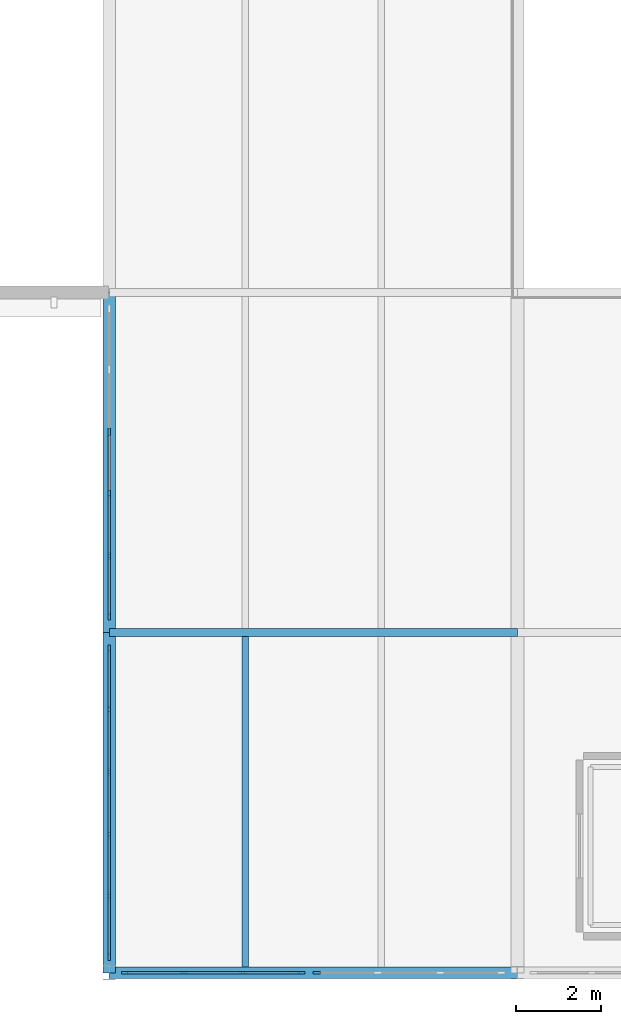
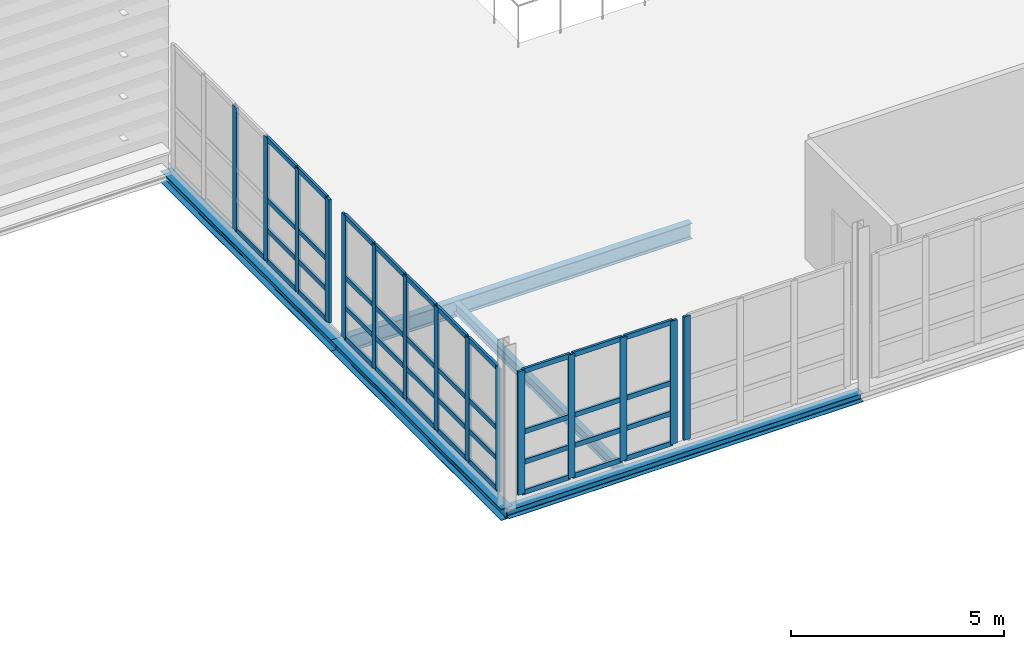
# One storey, part 23 of 73: 56 members, 5 beams, 4 elements without a shape of their own.
"""IFC4 building model written with IfcOpenShell, lengths in metres."""

from ifc_helpers import new_model, si_unit, direction, frame, origin, origin_2d, place, context, subcontext, project, spatial, rectangle, i_section, extrude, material, layer, layer_set, material_profile, profile_set, type_object, element, aggregate, save


model = new_model("IFC4")

# Units and contexts
model_context = context("Model", 3, precision=1e-05, world=origin(), true_north=direction((0.0, 1.0)))
body_context = subcontext(model_context, "Body", "Model", "MODEL_VIEW")
ifc_project = project(units=[si_unit("LENGTHUNIT", "METRE"), si_unit("AREAUNIT", "SQUARE_METRE"), si_unit("VOLUMEUNIT", "CUBIC_METRE"), si_unit("PLANEANGLEUNIT", "RADIAN"), si_unit("MASSUNIT", "GRAM", prefix="KILO")], contexts=[model_context])

# Site, building, storey
site_placement = place(None, origin())
site = spatial("IfcSite", under=ifc_project, at=site_placement, CompositionType="ELEMENT")
building_placement = place(site_placement, origin())
building = spatial("IfcBuilding", under=site, at=building_placement, Name="Alderhovde Museum", CompositionType="ELEMENT")
storey_placement = place(building_placement, frame((0.0, 0.0, 12.89990234375)))
storey = spatial("IfcBuildingStorey", under=building, at=storey_placement, Name="L03", CompositionType="ELEMENT", Elevation=12.89990234375)

# Beams
ifc_material_1 = material(Name="Steel S355J2", Category="steel")
ifc_material_profile_1 = material_profile(ifc_material_1, i_section(OverallWidth=0.300048828125, OverallDepth=0.330078125, WebThickness=0.009521484375, FlangeThickness=0.0166015625, FilletRadius=0.027099609375, at=origin_2d()), Name="HEA 340")
ifc_profile_set_1 = profile_set([ifc_material_profile_1], Name="Steel S355J2")
beam_type_1 = type_object("IfcBeamType", Name="BM-HEA340", PredefinedType="BEAM", material=ifc_profile_set_1)
for number, where, z_axis, x_axis, name in (
    (1, (76.800048828125, 32.0, -0.4248046875), (0.0, 1.0, 0.0), (-1.0, 0.0, 0.0), "L03 Grid Beam X=76.8 (32.0 TO 40.0)"),
    (2, (76.800048828125, 40.0, -0.4248046875), (0.0, 1.0, 0.0), (-1.0, 0.0, 0.0), "L03 Grid Beam X=76.8 (40.0 TO 48.0)"),
):
    element("IfcBeam", number, at=place(storey_placement, frame(where, z_axis=z_axis, x_axis=x_axis)), inside=storey, type_object=beam_type_1, Name=name, PredefinedType="BEAM", context=body_context, shape_type="SweptSolid", body=[
        extrude(i_section(OverallWidth=0.300048828125, OverallDepth=0.330078125, WebThickness=0.009521484375, FlangeThickness=0.0166015625, FilletRadius=0.027099609375, at=origin_2d()), origin(), (0.0, 0.0, 1.0), 8.0),
    ])
ifc_material_2 = material(Name="Steel S355J2", Category="steel")
ifc_material_profile_2 = material_profile(ifc_material_2, i_section(OverallWidth=0.18994140625, OverallDepth=0.449951171875, WebThickness=0.009521484375, FlangeThickness=0.0146484375, FilletRadius=0.02099609375, at=origin_2d()), Name="IPE 450")
ifc_profile_set_2 = profile_set([ifc_material_profile_2], Name="Steel S355J2")
beam_type_2 = type_object("IfcBeamType", Name="BM-IPE450", PredefinedType="BEAM", material=ifc_profile_set_2)
beam_1_placement = place(storey_placement, frame((76.800048828125, 40.0, -0.48486328125), z_axis=(1.0, 0.0, 0.0), x_axis=(0.0, 1.0, 0.0)))
element("IfcBeam", 3, at=beam_1_placement, inside=storey, type_object=beam_type_2, Name="L03 Grid Beam Y=40.0 (76.8 TO 86.4)", PredefinedType="BEAM", context=body_context, shape_type="SweptSolid", body=[
    extrude(i_section(OverallWidth=0.18994140625, OverallDepth=0.449951171875, WebThickness=0.009521484375, FlangeThickness=0.0146484375, FilletRadius=0.02099609375, at=origin_2d()), origin(), (0.0, 0.0, 1.0), 9.599853515625),
])

# Curtain wall, members
ifc_material_3 = material(Name="Triple-Glazed Bronze-Anodised Curtain Wall", Category="glass")
ifc_layer_1 = layer(ifc_material_3, 0.179931640625)
ifc_layer_set_1 = layer_set([ifc_layer_1], Name="Triple-Glazed Bronze-Anodised Curtain Wall")
curtain_wall_type_1 = type_object("IfcCurtainWallType", Name="CW-UNIT-420x354", PredefinedType="USERDEFINED", material=ifc_layer_set_1)
curtain_wall_1_placement = place(storey_placement, origin())
curtain_wall_1 = element("IfcCurtainWall", 4, at=curtain_wall_1_placement, inside=storey, type_object=curtain_wall_type_1, Name="L03 Unitised Curtain Wall 56", ObjectType="UNITISED CURTAIN WALL", PredefinedType="USERDEFINED")
ifc_material_4 = material(Name="Bronze-Anodised Aluminium EN AW-6063-T6", Category="aluminium")
ifc_material_profile_3 = material_profile(ifc_material_4, rectangle(XDim=0.06494140625, YDim=0.179931640625, at=origin_2d()), Name="MULLION 65x180")
ifc_profile_set_3 = profile_set([ifc_material_profile_3], Name="Bronze-Anodised Aluminium EN AW-6063-T6")
member_type_1 = type_object("IfcMemberType", Name="CWM-65x180", PredefinedType="MULLION", material=ifc_profile_set_3)
member_1_placement = place(storey_placement, frame((77.1826171875, 32.0, 0.0), z_axis=(0.0, 0.0, 1.0), x_axis=(0.0, 1.0, 0.0)))
member_1 = element("IfcMember", 5, at=member_1_placement, type_object=member_type_1, Name="CW15 mullion 1", PredefinedType="MULLION", context=body_context, shape_type="SweptSolid", body=[
    extrude(rectangle(XDim=0.06494140625, YDim=0.179931640625, at=origin_2d()), origin(), (0.0, 0.0, 1.0), 3.5400390625),
])
member_2_placement = place(storey_placement, frame((78.550048828125, 32.0, 0.0), z_axis=(0.0, 0.0, 1.0), x_axis=(0.0, 1.0, 0.0)))
member_2 = element("IfcMember", 6, at=member_2_placement, type_object=member_type_1, Name="CW15 mullion 2", PredefinedType="MULLION", context=body_context, shape_type="SweptSolid", body=[
    extrude(rectangle(XDim=0.06494140625, YDim=0.179931640625, at=origin_2d()), origin(), (0.0, 0.0, 1.0), 3.5400390625),
])
member_3_placement = place(storey_placement, frame((79.949951171875, 32.0, 0.0), z_axis=(0.0, 0.0, 1.0), x_axis=(0.0, 1.0, 0.0)))
member_3 = element("IfcMember", 7, at=member_3_placement, type_object=member_type_1, Name="CW15 mullion 3", PredefinedType="MULLION", context=body_context, shape_type="SweptSolid", body=[
    extrude(rectangle(XDim=0.06494140625, YDim=0.179931640625, at=origin_2d()), origin(), (0.0, 0.0, 1.0), 3.5400390625),
])
member_4_placement = place(storey_placement, frame((81.3173828125, 32.0, 0.0), z_axis=(0.0, 0.0, 1.0), x_axis=(0.0, 1.0, 0.0)))
member_4 = element("IfcMember", 8, at=member_4_placement, type_object=member_type_1, Name="CW15 mullion 4", PredefinedType="MULLION", context=body_context, shape_type="SweptSolid", body=[
    extrude(rectangle(XDim=0.06494140625, YDim=0.179931640625, at=origin_2d()), origin(), (0.0, 0.0, 1.0), 3.5400390625),
])

# Curtain wall, member
ifc_material_5 = material(Name="Triple-Glazed Bronze-Anodised Curtain Wall", Category="glass")
ifc_layer_2 = layer(ifc_material_5, 0.179931640625)
ifc_layer_set_2 = layer_set([ifc_layer_2], Name="Triple-Glazed Bronze-Anodised Curtain Wall")
curtain_wall_type_2 = type_object("IfcCurtainWallType", Name="CW-UNIT-440x354", PredefinedType="USERDEFINED", material=ifc_layer_set_2)
curtain_wall_2_placement = place(storey_placement, origin())
curtain_wall_2 = element("IfcCurtainWall", 9, at=curtain_wall_2_placement, inside=storey, type_object=curtain_wall_type_2, Name="L03 Unitised Curtain Wall 57", ObjectType="UNITISED CURTAIN WALL", PredefinedType="USERDEFINED")
member_5_placement = place(storey_placement, frame((81.6826171875, 32.0, 0.0), z_axis=(0.0, 0.0, 1.0), x_axis=(0.0, 1.0, 0.0)))
member_5 = element("IfcMember", 10, at=member_5_placement, type_object=member_type_1, Name="CW16 mullion 1", PredefinedType="MULLION", context=body_context, shape_type="SweptSolid", body=[
    extrude(rectangle(XDim=0.06494140625, YDim=0.179931640625, at=origin_2d()), origin(), (0.0, 0.0, 1.0), 3.5400390625),
])
aggregate(curtain_wall_2, [member_5])

# Curtain wall, members
ifc_material_6 = material(Name="Triple-Glazed Bronze-Anodised Curtain Wall", Category="glass")
ifc_layer_3 = layer(ifc_material_6, 0.179931640625)
ifc_layer_set_3 = layer_set([ifc_layer_3], Name="Triple-Glazed Bronze-Anodised Curtain Wall")
curtain_wall_type_3 = type_object("IfcCurtainWallType", Name="CW-STIC-730x354", PredefinedType="USERDEFINED", material=ifc_layer_set_3)
curtain_wall_3_placement = place(storey_placement, origin())
curtain_wall_3 = element("IfcCurtainWall", 11, at=curtain_wall_3_placement, inside=storey, type_object=curtain_wall_type_3, Name="L03 Stick Curtain Wall 64", ObjectType="STICK CURTAIN WALL", PredefinedType="USERDEFINED")
member_6_placement = place(storey_placement, frame((76.800048828125, 32.382568359375, 0.0), z_axis=(0.0, 0.0, 1.0), x_axis=(-1.0, 0.0, 0.0)))
member_6 = element("IfcMember", 12, at=member_6_placement, type_object=member_type_1, Name="CW17 mullion 1", PredefinedType="MULLION", context=body_context, shape_type="SweptSolid", body=[
    extrude(rectangle(XDim=0.06494140625, YDim=0.179931640625, at=origin_2d()), origin(), (0.0, 0.0, 1.0), 3.5400390625),
])
member_7_placement = place(storey_placement, frame((76.800048828125, 33.81005859375, 0.0), z_axis=(0.0, 0.0, 1.0), x_axis=(-1.0, 0.0, 0.0)))
member_7 = element("IfcMember", 13, at=member_7_placement, type_object=member_type_1, Name="CW17 mullion 2", PredefinedType="MULLION", context=body_context, shape_type="SweptSolid", body=[
    extrude(rectangle(XDim=0.06494140625, YDim=0.179931640625, at=origin_2d()), origin(), (0.0, 0.0, 1.0), 3.5400390625),
])
member_8_placement = place(storey_placement, frame((76.800048828125, 35.27001953125, 0.0), z_axis=(0.0, 0.0, 1.0), x_axis=(-1.0, 0.0, 0.0)))
member_8 = element("IfcMember", 14, at=member_8_placement, type_object=member_type_1, Name="CW17 mullion 3", PredefinedType="MULLION", context=body_context, shape_type="SweptSolid", body=[
    extrude(rectangle(XDim=0.06494140625, YDim=0.179931640625, at=origin_2d()), origin(), (0.0, 0.0, 1.0), 3.5400390625),
])
member_9_placement = place(storey_placement, frame((76.800048828125, 36.72998046875, 0.0), z_axis=(0.0, 0.0, 1.0), x_axis=(-1.0, 0.0, 0.0)))
member_9 = element("IfcMember", 15, at=member_9_placement, type_object=member_type_1, Name="CW17 mullion 4", PredefinedType="MULLION", context=body_context, shape_type="SweptSolid", body=[
    extrude(rectangle(XDim=0.06494140625, YDim=0.179931640625, at=origin_2d()), origin(), (0.0, 0.0, 1.0), 3.5400390625),
])
member_10_placement = place(storey_placement, frame((76.800048828125, 38.18994140625, 0.0), z_axis=(0.0, 0.0, 1.0), x_axis=(-1.0, 0.0, 0.0)))
member_10 = element("IfcMember", 16, at=member_10_placement, type_object=member_type_1, Name="CW17 mullion 5", PredefinedType="MULLION", context=body_context, shape_type="SweptSolid", body=[
    extrude(rectangle(XDim=0.06494140625, YDim=0.179931640625, at=origin_2d()), origin(), (0.0, 0.0, 1.0), 3.5400390625),
])
member_11_placement = place(storey_placement, frame((76.800048828125, 39.617431640625, 0.0), z_axis=(0.0, 0.0, 1.0), x_axis=(-1.0, 0.0, 0.0)))
member_11 = element("IfcMember", 17, at=member_11_placement, type_object=member_type_1, Name="CW17 mullion 6", PredefinedType="MULLION", context=body_context, shape_type="SweptSolid", body=[
    extrude(rectangle(XDim=0.06494140625, YDim=0.179931640625, at=origin_2d()), origin(), (0.0, 0.0, 1.0), 3.5400390625),
])

curtain_wall_4_placement = place(storey_placement, origin())
curtain_wall_4 = element("IfcCurtainWall", 18, at=curtain_wall_4_placement, inside=storey, type_object=curtain_wall_type_3, Name="L03 Stick Curtain Wall 65", ObjectType="STICK CURTAIN WALL", PredefinedType="USERDEFINED")
member_12_placement = place(storey_placement, frame((76.800048828125, 40.382568359375, 0.0), z_axis=(0.0, 0.0, 1.0), x_axis=(-1.0, 0.0, 0.0)))
member_12 = element("IfcMember", 19, at=member_12_placement, type_object=member_type_1, Name="CW17 mullion 1", PredefinedType="MULLION", context=body_context, shape_type="SweptSolid", body=[
    extrude(rectangle(XDim=0.06494140625, YDim=0.179931640625, at=origin_2d()), origin(), (0.0, 0.0, 1.0), 3.5400390625),
])
member_13_placement = place(storey_placement, frame((76.800048828125, 41.81005859375, 0.0), z_axis=(0.0, 0.0, 1.0), x_axis=(-1.0, 0.0, 0.0)))
member_13 = element("IfcMember", 20, at=member_13_placement, type_object=member_type_1, Name="CW17 mullion 2", PredefinedType="MULLION", context=body_context, shape_type="SweptSolid", body=[
    extrude(rectangle(XDim=0.06494140625, YDim=0.179931640625, at=origin_2d()), origin(), (0.0, 0.0, 1.0), 3.5400390625),
])
member_14_placement = place(storey_placement, frame((76.800048828125, 43.27001953125, 0.0), z_axis=(0.0, 0.0, 1.0), x_axis=(-1.0, 0.0, 0.0)))
member_14 = element("IfcMember", 21, at=member_14_placement, type_object=member_type_1, Name="CW17 mullion 3", PredefinedType="MULLION", context=body_context, shape_type="SweptSolid", body=[
    extrude(rectangle(XDim=0.06494140625, YDim=0.179931640625, at=origin_2d()), origin(), (0.0, 0.0, 1.0), 3.5400390625),
])
member_15_placement = place(storey_placement, frame((76.800048828125, 44.72998046875, 0.0), z_axis=(0.0, 0.0, 1.0), x_axis=(-1.0, 0.0, 0.0)))
member_15 = element("IfcMember", 22, at=member_15_placement, type_object=member_type_1, Name="CW17 mullion 4", PredefinedType="MULLION", context=body_context, shape_type="SweptSolid", body=[
    extrude(rectangle(XDim=0.06494140625, YDim=0.179931640625, at=origin_2d()), origin(), (0.0, 0.0, 1.0), 3.5400390625),
])

# Member
ifc_material_7 = material(Name="Bronze-Anodised Aluminium EN AW-6063-T6", Category="aluminium")
ifc_material_profile_4 = material_profile(ifc_material_7, rectangle(XDim=0.06494140625, YDim=0.139892578125, at=origin_2d()), Name="TRANSOM 65x140")
ifc_profile_set_4 = profile_set([ifc_material_profile_4], Name="Bronze-Anodised Aluminium EN AW-6063-T6")
member_type_2 = type_object("IfcMemberType", Name="CWT-65x140", PredefinedType="USERDEFINED", material=ifc_profile_set_4)
member_16_placement = place(storey_placement, frame((77.215087890625, 32.0, 0.03271484375), z_axis=(1.0, 0.0, 0.0), x_axis=(0.0, 1.0, 0.0)))
member_16 = element("IfcMember", 23, at=member_16_placement, type_object=member_type_2, Name="CW15 transom 1.1", ObjectType="TRANSOM", PredefinedType="USERDEFINED", context=body_context, shape_type="SweptSolid", body=[
    extrude(rectangle(XDim=0.06494140625, YDim=0.139892578125, at=origin_2d()), origin(), (0.0, 0.0, 1.0), 1.302490234375),
])

member_17_placement = place(storey_placement, frame((77.215087890625, 32.0, 0.900146484375), z_axis=(1.0, 0.0, 0.0), x_axis=(0.0, 1.0, 0.0)))
member_17 = element("IfcMember", 24, at=member_17_placement, type_object=member_type_2, Name="CW15 transom 1.2", ObjectType="TRANSOM", PredefinedType="USERDEFINED", context=body_context, shape_type="SweptSolid", body=[
    extrude(rectangle(XDim=0.06494140625, YDim=0.139892578125, at=origin_2d()), origin(), (0.0, 0.0, 1.0), 1.302490234375),
])

member_18_placement = place(storey_placement, frame((77.215087890625, 32.0, 1.77001953125), z_axis=(1.0, 0.0, 0.0), x_axis=(0.0, 1.0, 0.0)))
member_18 = element("IfcMember", 25, at=member_18_placement, type_object=member_type_2, Name="CW15 transom 1.3", ObjectType="TRANSOM", PredefinedType="USERDEFINED", context=body_context, shape_type="SweptSolid", body=[
    extrude(rectangle(XDim=0.06494140625, YDim=0.139892578125, at=origin_2d()), origin(), (0.0, 0.0, 1.0), 1.302490234375),
])

member_19_placement = place(storey_placement, frame((77.215087890625, 32.0, 3.507568359375), z_axis=(1.0, 0.0, 0.0), x_axis=(0.0, 1.0, 0.0)))
member_19 = element("IfcMember", 26, at=member_19_placement, type_object=member_type_2, Name="CW15 transom 1.4", ObjectType="TRANSOM", PredefinedType="USERDEFINED", context=body_context, shape_type="SweptSolid", body=[
    extrude(rectangle(XDim=0.06494140625, YDim=0.139892578125, at=origin_2d()), origin(), (0.0, 0.0, 1.0), 1.302490234375),
])

member_20_placement = place(storey_placement, frame((78.58251953125, 32.0, 0.03271484375), z_axis=(1.0, 0.0, 0.0), x_axis=(0.0, 1.0, 0.0)))
member_20 = element("IfcMember", 27, at=member_20_placement, type_object=member_type_2, Name="CW15 transom 2.1", ObjectType="TRANSOM", PredefinedType="USERDEFINED", context=body_context, shape_type="SweptSolid", body=[
    extrude(rectangle(XDim=0.06494140625, YDim=0.139892578125, at=origin_2d()), origin(), (0.0, 0.0, 1.0), 1.3349609375),
])

member_21_placement = place(storey_placement, frame((78.58251953125, 32.0, 0.900146484375), z_axis=(1.0, 0.0, 0.0), x_axis=(0.0, 1.0, 0.0)))
member_21 = element("IfcMember", 28, at=member_21_placement, type_object=member_type_2, Name="CW15 transom 2.2", ObjectType="TRANSOM", PredefinedType="USERDEFINED", context=body_context, shape_type="SweptSolid", body=[
    extrude(rectangle(XDim=0.06494140625, YDim=0.139892578125, at=origin_2d()), origin(), (0.0, 0.0, 1.0), 1.3349609375),
])

member_22_placement = place(storey_placement, frame((78.58251953125, 32.0, 1.77001953125), z_axis=(1.0, 0.0, 0.0), x_axis=(0.0, 1.0, 0.0)))
member_22 = element("IfcMember", 29, at=member_22_placement, type_object=member_type_2, Name="CW15 transom 2.3", ObjectType="TRANSOM", PredefinedType="USERDEFINED", context=body_context, shape_type="SweptSolid", body=[
    extrude(rectangle(XDim=0.06494140625, YDim=0.139892578125, at=origin_2d()), origin(), (0.0, 0.0, 1.0), 1.3349609375),
])

member_23_placement = place(storey_placement, frame((78.58251953125, 32.0, 3.507568359375), z_axis=(1.0, 0.0, 0.0), x_axis=(0.0, 1.0, 0.0)))
member_23 = element("IfcMember", 30, at=member_23_placement, type_object=member_type_2, Name="CW15 transom 2.4", ObjectType="TRANSOM", PredefinedType="USERDEFINED", context=body_context, shape_type="SweptSolid", body=[
    extrude(rectangle(XDim=0.06494140625, YDim=0.139892578125, at=origin_2d()), origin(), (0.0, 0.0, 1.0), 1.3349609375),
])

member_24_placement = place(storey_placement, frame((79.982421875, 32.0, 0.03271484375), z_axis=(1.0, 0.0, 0.0), x_axis=(0.0, 1.0, 0.0)))
member_24 = element("IfcMember", 31, at=member_24_placement, type_object=member_type_2, Name="CW15 transom 3.1", ObjectType="TRANSOM", PredefinedType="USERDEFINED", context=body_context, shape_type="SweptSolid", body=[
    extrude(rectangle(XDim=0.06494140625, YDim=0.139892578125, at=origin_2d()), origin(), (0.0, 0.0, 1.0), 1.302490234375),
])

member_25_placement = place(storey_placement, frame((79.982421875, 32.0, 0.900146484375), z_axis=(1.0, 0.0, 0.0), x_axis=(0.0, 1.0, 0.0)))
member_25 = element("IfcMember", 32, at=member_25_placement, type_object=member_type_2, Name="CW15 transom 3.2", ObjectType="TRANSOM", PredefinedType="USERDEFINED", context=body_context, shape_type="SweptSolid", body=[
    extrude(rectangle(XDim=0.06494140625, YDim=0.139892578125, at=origin_2d()), origin(), (0.0, 0.0, 1.0), 1.302490234375),
])

member_26_placement = place(storey_placement, frame((79.982421875, 32.0, 1.77001953125), z_axis=(1.0, 0.0, 0.0), x_axis=(0.0, 1.0, 0.0)))
member_26 = element("IfcMember", 33, at=member_26_placement, type_object=member_type_2, Name="CW15 transom 3.3", ObjectType="TRANSOM", PredefinedType="USERDEFINED", context=body_context, shape_type="SweptSolid", body=[
    extrude(rectangle(XDim=0.06494140625, YDim=0.139892578125, at=origin_2d()), origin(), (0.0, 0.0, 1.0), 1.302490234375),
])

member_27_placement = place(storey_placement, frame((79.982421875, 32.0, 3.507568359375), z_axis=(1.0, 0.0, 0.0), x_axis=(0.0, 1.0, 0.0)))
member_27 = element("IfcMember", 34, at=member_27_placement, type_object=member_type_2, Name="CW15 transom 3.4", ObjectType="TRANSOM", PredefinedType="USERDEFINED", context=body_context, shape_type="SweptSolid", body=[
    extrude(rectangle(XDim=0.06494140625, YDim=0.139892578125, at=origin_2d()), origin(), (0.0, 0.0, 1.0), 1.302490234375),
])

aggregate(curtain_wall_1, [member_1, member_2, member_3, member_4, member_16, member_17, member_18, member_19, member_20, member_21, member_22, member_23, member_24, member_25, member_26, member_27])

member_28_placement = place(storey_placement, frame((76.800048828125, 32.4150390625, 0.03271484375), z_axis=(0.0, 1.0, 0.0), x_axis=(-1.0, 0.0, 0.0)))
member_28 = element("IfcMember", 35, at=member_28_placement, type_object=member_type_2, Name="CW17 transom 1.1", ObjectType="TRANSOM", PredefinedType="USERDEFINED", context=body_context, shape_type="SweptSolid", body=[
    extrude(rectangle(XDim=0.06494140625, YDim=0.139892578125, at=origin_2d()), origin(), (0.0, 0.0, 1.0), 1.362548828125),
])

member_29_placement = place(storey_placement, frame((76.800048828125, 32.4150390625, 0.900146484375), z_axis=(0.0, 1.0, 0.0), x_axis=(-1.0, 0.0, 0.0)))
member_29 = element("IfcMember", 36, at=member_29_placement, type_object=member_type_2, Name="CW17 transom 1.2", ObjectType="TRANSOM", PredefinedType="USERDEFINED", context=body_context, shape_type="SweptSolid", body=[
    extrude(rectangle(XDim=0.06494140625, YDim=0.139892578125, at=origin_2d()), origin(), (0.0, 0.0, 1.0), 1.362548828125),
])

member_30_placement = place(storey_placement, frame((76.800048828125, 32.4150390625, 1.77001953125), z_axis=(0.0, 1.0, 0.0), x_axis=(-1.0, 0.0, 0.0)))
member_30 = element("IfcMember", 37, at=member_30_placement, type_object=member_type_2, Name="CW17 transom 1.3", ObjectType="TRANSOM", PredefinedType="USERDEFINED", context=body_context, shape_type="SweptSolid", body=[
    extrude(rectangle(XDim=0.06494140625, YDim=0.139892578125, at=origin_2d()), origin(), (0.0, 0.0, 1.0), 1.362548828125),
])

member_31_placement = place(storey_placement, frame((76.800048828125, 32.4150390625, 3.507568359375), z_axis=(0.0, 1.0, 0.0), x_axis=(-1.0, 0.0, 0.0)))
member_31 = element("IfcMember", 38, at=member_31_placement, type_object=member_type_2, Name="CW17 transom 1.4", ObjectType="TRANSOM", PredefinedType="USERDEFINED", context=body_context, shape_type="SweptSolid", body=[
    extrude(rectangle(XDim=0.06494140625, YDim=0.139892578125, at=origin_2d()), origin(), (0.0, 0.0, 1.0), 1.362548828125),
])

member_32_placement = place(storey_placement, frame((76.800048828125, 33.842529296875, 0.03271484375), z_axis=(0.0, 1.0, 0.0), x_axis=(-1.0, 0.0, 0.0)))
member_32 = element("IfcMember", 39, at=member_32_placement, type_object=member_type_2, Name="CW17 transom 2.1", ObjectType="TRANSOM", PredefinedType="USERDEFINED", context=body_context, shape_type="SweptSolid", body=[
    extrude(rectangle(XDim=0.06494140625, YDim=0.139892578125, at=origin_2d()), origin(), (0.0, 0.0, 1.0), 1.39501953125),
])

member_33_placement = place(storey_placement, frame((76.800048828125, 33.842529296875, 0.900146484375), z_axis=(0.0, 1.0, 0.0), x_axis=(-1.0, 0.0, 0.0)))
member_33 = element("IfcMember", 40, at=member_33_placement, type_object=member_type_2, Name="CW17 transom 2.2", ObjectType="TRANSOM", PredefinedType="USERDEFINED", context=body_context, shape_type="SweptSolid", body=[
    extrude(rectangle(XDim=0.06494140625, YDim=0.139892578125, at=origin_2d()), origin(), (0.0, 0.0, 1.0), 1.39501953125),
])

member_34_placement = place(storey_placement, frame((76.800048828125, 33.842529296875, 1.77001953125), z_axis=(0.0, 1.0, 0.0), x_axis=(-1.0, 0.0, 0.0)))
member_34 = element("IfcMember", 41, at=member_34_placement, type_object=member_type_2, Name="CW17 transom 2.3", ObjectType="TRANSOM", PredefinedType="USERDEFINED", context=body_context, shape_type="SweptSolid", body=[
    extrude(rectangle(XDim=0.06494140625, YDim=0.139892578125, at=origin_2d()), origin(), (0.0, 0.0, 1.0), 1.39501953125),
])

member_35_placement = place(storey_placement, frame((76.800048828125, 33.842529296875, 3.507568359375), z_axis=(0.0, 1.0, 0.0), x_axis=(-1.0, 0.0, 0.0)))
member_35 = element("IfcMember", 42, at=member_35_placement, type_object=member_type_2, Name="CW17 transom 2.4", ObjectType="TRANSOM", PredefinedType="USERDEFINED", context=body_context, shape_type="SweptSolid", body=[
    extrude(rectangle(XDim=0.06494140625, YDim=0.139892578125, at=origin_2d()), origin(), (0.0, 0.0, 1.0), 1.39501953125),
])

member_36_placement = place(storey_placement, frame((76.800048828125, 35.302490234375, 0.03271484375), z_axis=(0.0, 1.0, 0.0), x_axis=(-1.0, 0.0, 0.0)))
member_36 = element("IfcMember", 43, at=member_36_placement, type_object=member_type_2, Name="CW17 transom 3.1", ObjectType="TRANSOM", PredefinedType="USERDEFINED", context=body_context, shape_type="SweptSolid", body=[
    extrude(rectangle(XDim=0.06494140625, YDim=0.139892578125, at=origin_2d()), origin(), (0.0, 0.0, 1.0), 1.39501953125),
])

member_37_placement = place(storey_placement, frame((76.800048828125, 35.302490234375, 0.900146484375), z_axis=(0.0, 1.0, 0.0), x_axis=(-1.0, 0.0, 0.0)))
member_37 = element("IfcMember", 44, at=member_37_placement, type_object=member_type_2, Name="CW17 transom 3.2", ObjectType="TRANSOM", PredefinedType="USERDEFINED", context=body_context, shape_type="SweptSolid", body=[
    extrude(rectangle(XDim=0.06494140625, YDim=0.139892578125, at=origin_2d()), origin(), (0.0, 0.0, 1.0), 1.39501953125),
])

member_38_placement = place(storey_placement, frame((76.800048828125, 35.302490234375, 1.77001953125), z_axis=(0.0, 1.0, 0.0), x_axis=(-1.0, 0.0, 0.0)))
member_38 = element("IfcMember", 45, at=member_38_placement, type_object=member_type_2, Name="CW17 transom 3.3", ObjectType="TRANSOM", PredefinedType="USERDEFINED", context=body_context, shape_type="SweptSolid", body=[
    extrude(rectangle(XDim=0.06494140625, YDim=0.139892578125, at=origin_2d()), origin(), (0.0, 0.0, 1.0), 1.39501953125),
])

member_39_placement = place(storey_placement, frame((76.800048828125, 35.302490234375, 3.507568359375), z_axis=(0.0, 1.0, 0.0), x_axis=(-1.0, 0.0, 0.0)))
member_39 = element("IfcMember", 46, at=member_39_placement, type_object=member_type_2, Name="CW17 transom 3.4", ObjectType="TRANSOM", PredefinedType="USERDEFINED", context=body_context, shape_type="SweptSolid", body=[
    extrude(rectangle(XDim=0.06494140625, YDim=0.139892578125, at=origin_2d()), origin(), (0.0, 0.0, 1.0), 1.39501953125),
])

member_40_placement = place(storey_placement, frame((76.800048828125, 36.762451171875, 0.03271484375), z_axis=(0.0, 1.0, 0.0), x_axis=(-1.0, 0.0, 0.0)))
member_40 = element("IfcMember", 47, at=member_40_placement, type_object=member_type_2, Name="CW17 transom 4.1", ObjectType="TRANSOM", PredefinedType="USERDEFINED", context=body_context, shape_type="SweptSolid", body=[
    extrude(rectangle(XDim=0.06494140625, YDim=0.139892578125, at=origin_2d()), origin(), (0.0, 0.0, 1.0), 1.39501953125),
])

member_41_placement = place(storey_placement, frame((76.800048828125, 36.762451171875, 0.900146484375), z_axis=(0.0, 1.0, 0.0), x_axis=(-1.0, 0.0, 0.0)))
member_41 = element("IfcMember", 48, at=member_41_placement, type_object=member_type_2, Name="CW17 transom 4.2", ObjectType="TRANSOM", PredefinedType="USERDEFINED", context=body_context, shape_type="SweptSolid", body=[
    extrude(rectangle(XDim=0.06494140625, YDim=0.139892578125, at=origin_2d()), origin(), (0.0, 0.0, 1.0), 1.39501953125),
])

member_42_placement = place(storey_placement, frame((76.800048828125, 36.762451171875, 1.77001953125), z_axis=(0.0, 1.0, 0.0), x_axis=(-1.0, 0.0, 0.0)))
member_42 = element("IfcMember", 49, at=member_42_placement, type_object=member_type_2, Name="CW17 transom 4.3", ObjectType="TRANSOM", PredefinedType="USERDEFINED", context=body_context, shape_type="SweptSolid", body=[
    extrude(rectangle(XDim=0.06494140625, YDim=0.139892578125, at=origin_2d()), origin(), (0.0, 0.0, 1.0), 1.39501953125),
])

member_43_placement = place(storey_placement, frame((76.800048828125, 36.762451171875, 3.507568359375), z_axis=(0.0, 1.0, 0.0), x_axis=(-1.0, 0.0, 0.0)))
member_43 = element("IfcMember", 50, at=member_43_placement, type_object=member_type_2, Name="CW17 transom 4.4", ObjectType="TRANSOM", PredefinedType="USERDEFINED", context=body_context, shape_type="SweptSolid", body=[
    extrude(rectangle(XDim=0.06494140625, YDim=0.139892578125, at=origin_2d()), origin(), (0.0, 0.0, 1.0), 1.39501953125),
])

member_44_placement = place(storey_placement, frame((76.800048828125, 38.222412109375, 0.03271484375), z_axis=(0.0, 1.0, 0.0), x_axis=(-1.0, 0.0, 0.0)))
member_44 = element("IfcMember", 51, at=member_44_placement, type_object=member_type_2, Name="CW17 transom 5.1", ObjectType="TRANSOM", PredefinedType="USERDEFINED", context=body_context, shape_type="SweptSolid", body=[
    extrude(rectangle(XDim=0.06494140625, YDim=0.139892578125, at=origin_2d()), origin(), (0.0, 0.0, 1.0), 1.362548828125),
])

member_45_placement = place(storey_placement, frame((76.800048828125, 38.222412109375, 0.900146484375), z_axis=(0.0, 1.0, 0.0), x_axis=(-1.0, 0.0, 0.0)))
member_45 = element("IfcMember", 52, at=member_45_placement, type_object=member_type_2, Name="CW17 transom 5.2", ObjectType="TRANSOM", PredefinedType="USERDEFINED", context=body_context, shape_type="SweptSolid", body=[
    extrude(rectangle(XDim=0.06494140625, YDim=0.139892578125, at=origin_2d()), origin(), (0.0, 0.0, 1.0), 1.362548828125),
])

member_46_placement = place(storey_placement, frame((76.800048828125, 38.222412109375, 1.77001953125), z_axis=(0.0, 1.0, 0.0), x_axis=(-1.0, 0.0, 0.0)))
member_46 = element("IfcMember", 53, at=member_46_placement, type_object=member_type_2, Name="CW17 transom 5.3", ObjectType="TRANSOM", PredefinedType="USERDEFINED", context=body_context, shape_type="SweptSolid", body=[
    extrude(rectangle(XDim=0.06494140625, YDim=0.139892578125, at=origin_2d()), origin(), (0.0, 0.0, 1.0), 1.362548828125),
])

member_47_placement = place(storey_placement, frame((76.800048828125, 38.222412109375, 3.507568359375), z_axis=(0.0, 1.0, 0.0), x_axis=(-1.0, 0.0, 0.0)))
member_47 = element("IfcMember", 54, at=member_47_placement, type_object=member_type_2, Name="CW17 transom 5.4", ObjectType="TRANSOM", PredefinedType="USERDEFINED", context=body_context, shape_type="SweptSolid", body=[
    extrude(rectangle(XDim=0.06494140625, YDim=0.139892578125, at=origin_2d()), origin(), (0.0, 0.0, 1.0), 1.362548828125),
])

aggregate(curtain_wall_3, [member_6, member_7, member_8, member_9, member_10, member_11, member_28, member_29, member_30, member_31, member_32, member_33, member_34, member_35, member_36, member_37, member_38, member_39, member_40, member_41, member_42, member_43, member_44, member_45, member_46, member_47])

member_48_placement = place(storey_placement, frame((76.800048828125, 40.4150390625, 0.03271484375), z_axis=(0.0, 1.0, 0.0), x_axis=(-1.0, 0.0, 0.0)))
member_48 = element("IfcMember", 55, at=member_48_placement, type_object=member_type_2, Name="CW17 transom 1.1", ObjectType="TRANSOM", PredefinedType="USERDEFINED", context=body_context, shape_type="SweptSolid", body=[
    extrude(rectangle(XDim=0.06494140625, YDim=0.139892578125, at=origin_2d()), origin(), (0.0, 0.0, 1.0), 1.362548828125),
])

member_49_placement = place(storey_placement, frame((76.800048828125, 40.4150390625, 0.900146484375), z_axis=(0.0, 1.0, 0.0), x_axis=(-1.0, 0.0, 0.0)))
member_49 = element("IfcMember", 56, at=member_49_placement, type_object=member_type_2, Name="CW17 transom 1.2", ObjectType="TRANSOM", PredefinedType="USERDEFINED", context=body_context, shape_type="SweptSolid", body=[
    extrude(rectangle(XDim=0.06494140625, YDim=0.139892578125, at=origin_2d()), origin(), (0.0, 0.0, 1.0), 1.362548828125),
])

member_50_placement = place(storey_placement, frame((76.800048828125, 40.4150390625, 1.77001953125), z_axis=(0.0, 1.0, 0.0), x_axis=(-1.0, 0.0, 0.0)))
member_50 = element("IfcMember", 57, at=member_50_placement, type_object=member_type_2, Name="CW17 transom 1.3", ObjectType="TRANSOM", PredefinedType="USERDEFINED", context=body_context, shape_type="SweptSolid", body=[
    extrude(rectangle(XDim=0.06494140625, YDim=0.139892578125, at=origin_2d()), origin(), (0.0, 0.0, 1.0), 1.362548828125),
])

member_51_placement = place(storey_placement, frame((76.800048828125, 40.4150390625, 3.507568359375), z_axis=(0.0, 1.0, 0.0), x_axis=(-1.0, 0.0, 0.0)))
member_51 = element("IfcMember", 58, at=member_51_placement, type_object=member_type_2, Name="CW17 transom 1.4", ObjectType="TRANSOM", PredefinedType="USERDEFINED", context=body_context, shape_type="SweptSolid", body=[
    extrude(rectangle(XDim=0.06494140625, YDim=0.139892578125, at=origin_2d()), origin(), (0.0, 0.0, 1.0), 1.362548828125),
])

member_52_placement = place(storey_placement, frame((76.800048828125, 41.842529296875, 0.03271484375), z_axis=(0.0, 1.0, 0.0), x_axis=(-1.0, 0.0, 0.0)))
member_52 = element("IfcMember", 59, at=member_52_placement, type_object=member_type_2, Name="CW17 transom 2.1", ObjectType="TRANSOM", PredefinedType="USERDEFINED", context=body_context, shape_type="SweptSolid", body=[
    extrude(rectangle(XDim=0.06494140625, YDim=0.139892578125, at=origin_2d()), origin(), (0.0, 0.0, 1.0), 1.39501953125),
])

member_53_placement = place(storey_placement, frame((76.800048828125, 41.842529296875, 0.900146484375), z_axis=(0.0, 1.0, 0.0), x_axis=(-1.0, 0.0, 0.0)))
member_53 = element("IfcMember", 60, at=member_53_placement, type_object=member_type_2, Name="CW17 transom 2.2", ObjectType="TRANSOM", PredefinedType="USERDEFINED", context=body_context, shape_type="SweptSolid", body=[
    extrude(rectangle(XDim=0.06494140625, YDim=0.139892578125, at=origin_2d()), origin(), (0.0, 0.0, 1.0), 1.39501953125),
])

member_54_placement = place(storey_placement, frame((76.800048828125, 41.842529296875, 1.77001953125), z_axis=(0.0, 1.0, 0.0), x_axis=(-1.0, 0.0, 0.0)))
member_54 = element("IfcMember", 61, at=member_54_placement, type_object=member_type_2, Name="CW17 transom 2.3", ObjectType="TRANSOM", PredefinedType="USERDEFINED", context=body_context, shape_type="SweptSolid", body=[
    extrude(rectangle(XDim=0.06494140625, YDim=0.139892578125, at=origin_2d()), origin(), (0.0, 0.0, 1.0), 1.39501953125),
])

member_55_placement = place(storey_placement, frame((76.800048828125, 41.842529296875, 3.507568359375), z_axis=(0.0, 1.0, 0.0), x_axis=(-1.0, 0.0, 0.0)))
member_55 = element("IfcMember", 62, at=member_55_placement, type_object=member_type_2, Name="CW17 transom 2.4", ObjectType="TRANSOM", PredefinedType="USERDEFINED", context=body_context, shape_type="SweptSolid", body=[
    extrude(rectangle(XDim=0.06494140625, YDim=0.139892578125, at=origin_2d()), origin(), (0.0, 0.0, 1.0), 1.39501953125),
])

member_56_placement = place(storey_placement, frame((76.800048828125, 43.302490234375, 0.03271484375), z_axis=(0.0, 1.0, 0.0), x_axis=(-1.0, 0.0, 0.0)))
member_56 = element("IfcMember", 63, at=member_56_placement, type_object=member_type_2, Name="CW17 transom 3.1", ObjectType="TRANSOM", PredefinedType="USERDEFINED", context=body_context, shape_type="SweptSolid", body=[
    extrude(rectangle(XDim=0.06494140625, YDim=0.139892578125, at=origin_2d()), origin(), (0.0, 0.0, 1.0), 1.39501953125),
])

aggregate(curtain_wall_4, [member_12, member_13, member_14, member_15, member_48, member_49, member_50, member_51, member_52, member_53, member_54, member_55, member_56])

# Beams
ifc_material_8 = material(Name="Steel S355J2", Category="steel")
ifc_material_profile_5 = material_profile(ifc_material_8, i_section(OverallWidth=0.14990234375, OverallDepth=0.300048828125, WebThickness=0.007080078125, FlangeThickness=0.0107421875, FilletRadius=0.014892578125, at=origin_2d()), Name="IPE 300")
ifc_profile_set_5 = profile_set([ifc_material_profile_5], Name="Steel S355J2")
beam_type_3 = type_object("IfcBeamType", Name="JST-IPE300", PredefinedType="JOIST", material=ifc_profile_set_5)
beam_2_placement = place(storey_placement, frame((80.0, 32.1298828125, -0.409912109375), z_axis=(0.0, 1.0, 0.0), x_axis=(-1.0, 0.0, 0.0)))
element("IfcBeam", 64, at=beam_2_placement, inside=storey, type_object=beam_type_3, Name="L03 Composite Joist X=80.0 (32.0 TO 40.0)", PredefinedType="JOIST", context=body_context, shape_type="SweptSolid", body=[
    extrude(i_section(OverallWidth=0.14990234375, OverallDepth=0.300048828125, WebThickness=0.007080078125, FlangeThickness=0.0107421875, FilletRadius=0.014892578125, at=origin_2d()), origin(), (0.0, 0.0, 1.0), 7.775146484375),
])
ifc_material_9 = material(Name="Steel S355J2", Category="steel")
ifc_material_profile_6 = material_profile(ifc_material_9, i_section(OverallWidth=0.260009765625, OverallDepth=0.25, WebThickness=0.007568359375, FlangeThickness=0.012451171875, FilletRadius=0.02392578125, at=origin_2d()), Name="HEA 260")
ifc_profile_set_6 = profile_set([ifc_material_profile_6], Name="Steel S355J2")
beam_type_4 = type_object("IfcBeamType", Name="SPD-HEA260", PredefinedType="SPANDREL", material=ifc_profile_set_6)
beam_3_placement = place(storey_placement, frame((76.800048828125, 32.0, -0.385009765625), z_axis=(1.0, 0.0, 0.0), x_axis=(0.0, 1.0, 0.0)))
element("IfcBeam", 65, at=beam_3_placement, inside=storey, type_object=beam_type_4, Name="L03 Grid Beam Y=32.0 (76.8 TO 86.4)", PredefinedType="SPANDREL", context=body_context, shape_type="SweptSolid", body=[
    extrude(i_section(OverallWidth=0.260009765625, OverallDepth=0.25, WebThickness=0.007568359375, FlangeThickness=0.012451171875, FilletRadius=0.02392578125, at=origin_2d()), origin(), (0.0, 0.0, 1.0), 9.599853515625),
])

save(model, "model.ifc")
